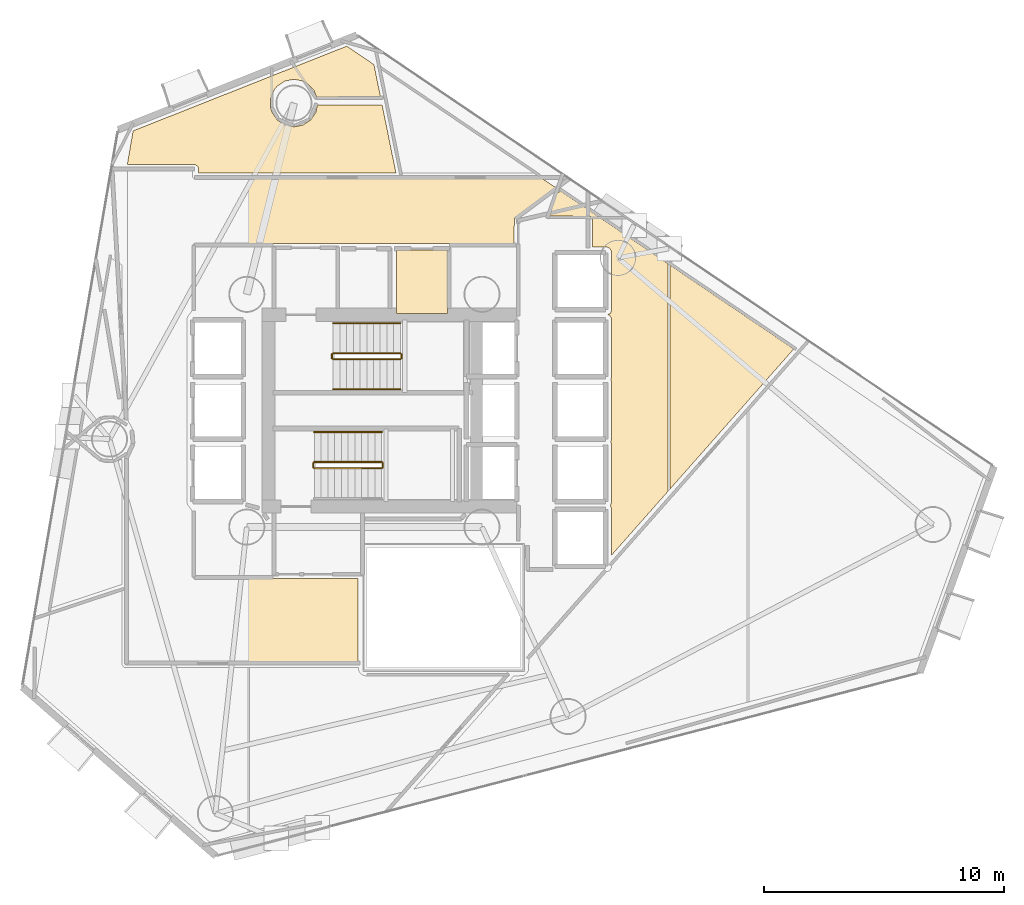
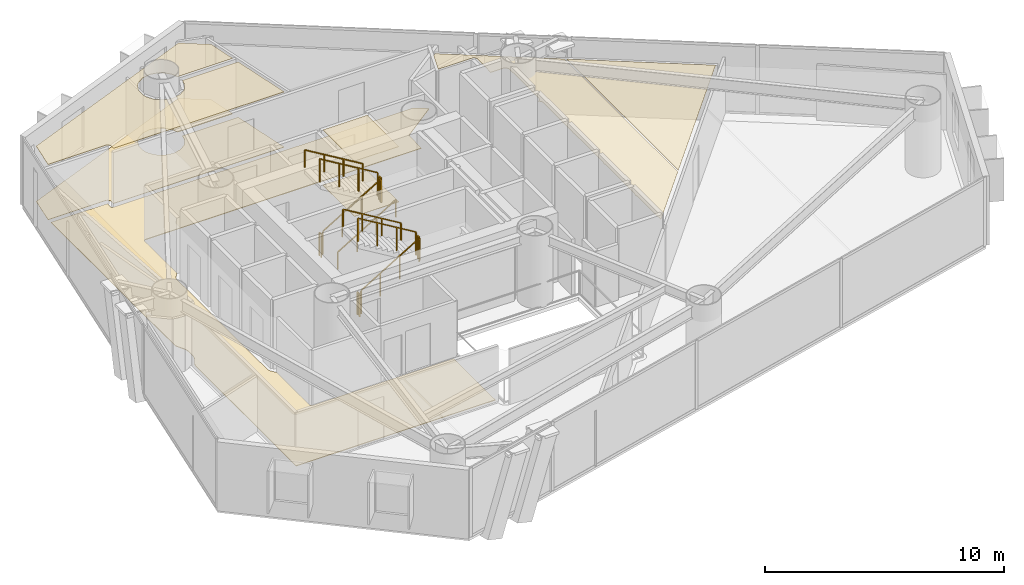
# One storey, part 20 of 21: 11 railings, 7 coverings.
"""IFC4 building model written with IfcOpenShell, lengths in metres."""

from ifc_helpers import new_model, si_unit, direction, frame, origin, origin_2d, place, context, subcontext, project, spatial, polyline, rectangle, outline, extrude, material, layer, layer_set, type_object, element, save


model = new_model("IFC4")

# Units and contexts
model_context = context("Model", 3, precision=1e-05, world=origin(), true_north=direction((0.0, 1.0)))
body_context = subcontext(model_context, "Body", "Model", "MODEL_VIEW")
ifc_project = project(units=[si_unit("LENGTHUNIT", "METRE"), si_unit("AREAUNIT", "SQUARE_METRE"), si_unit("VOLUMEUNIT", "CUBIC_METRE"), si_unit("PLANEANGLEUNIT", "RADIAN"), si_unit("MASSUNIT", "GRAM", prefix="KILO")], contexts=[model_context])

# Site, building, storey
site_placement = place(None, origin())
site = spatial("IfcSite", under=ifc_project, at=site_placement, CompositionType="ELEMENT")
building_placement = place(site_placement, origin())
building = spatial("IfcBuilding", under=site, at=building_placement, Name="Qianvela Tower", CompositionType="ELEMENT")
storey_placement = place(building_placement, frame((0.0, 0.0, 105.199951171875)))
storey = spatial("IfcBuildingStorey", under=building, at=storey_placement, Name="L26", CompositionType="ELEMENT", Elevation=105.199951171875)

# Coverings
ifc_material_1 = material(Name="Perforated Mineral Acoustic Ceiling Tile")
ifc_layer_1 = layer(ifc_material_1, 0.02490234375)
ifc_layer_set_1 = layer_set([ifc_layer_1], Name="Perforated Mineral Acoustic Ceiling Tile")
covering_type_1 = type_object("IfcCoveringType", Name="COV-CEIL-ACOUSTIC-25", PredefinedType="CEILING", material=ifc_layer_set_1)
covering_1_placement = place(storey_placement, frame((0.0, 0.0, 2.81494140625)))
element("IfcCovering", 1, at=covering_1_placement, inside=storey, type_object=covering_type_1, Name="L26 Acoustic Ceiling L26 Core Tea Pantry", PredefinedType="CEILING", context=body_context, shape_type="SweptSolid", body=[
    extrude(outline(polyline([(36.969970703125, 32.760009765625), (34.830078125, 32.760009765625), (34.830078125, 35.39990234375), (36.969970703125, 35.39990234375), (36.969970703125, 32.760009765625)])), origin(), (0.0, 0.0, 1.0), 0.025146484375),
])
covering_2_placement = place(storey_placement, frame((0.0, 0.0, 2.81494140625)))
element("IfcCovering", 2, at=covering_2_placement, inside=storey, type_object=covering_type_1, Name="L26 Acoustic Ceiling Bay 1 Academic Cellular Office L26-01C", PredefinedType="CEILING", context=body_context, shape_type="SweptSolid", body=[
    extrude(outline(polyline([(43.722412109375, 32.739013671875), (43.729248046875, 32.74267578125), (43.73583984375, 32.746826171875), (43.741943359375, 32.751953125), (43.74755859375, 32.757568359375), (43.75244140625, 32.763427734375), (43.7568359375, 32.77001953125), (43.760498046875, 32.777099609375), (43.763427734375, 32.7841796875), (43.79541015625, 32.873046875), (43.79736328125, 32.879638671875), (43.798828125, 32.886474609375), (43.7998046875, 32.893310546875), (43.800048828125, 32.900146484375), (43.79736328125, 35.327392578125), (43.796875, 35.3359375), (43.79541015625, 35.344482421875), (43.793212890625, 35.352783203125), (43.7900390625, 35.36083984375), (43.785888671875, 35.368408203125), (43.7373046875, 35.44921875), (43.732666015625, 35.456298828125), (43.727294921875, 35.462890625), (43.72119140625, 35.46875), (43.71435546875, 35.47412109375), (43.70703125, 35.478515625), (43.699462890625, 35.482177734375), (43.624267578125, 35.51318359375), (43.616943359375, 35.515869140625), (43.609375, 35.517822265625), (43.6015625, 35.518798828125), (43.59375, 35.519287109375), (43.0, 35.52001953125), (43.010009765625, 36.6494140625), (43.009765625, 36.656494140625), (43.0087890625, 36.663818359375), (43.007080078125, 36.6708984375), (43.0048828125, 36.677978515625), (43.002197265625, 36.684814453125), (42.99853515625, 36.691162109375), (42.956298828125, 36.76171875), (42.951904296875, 36.7685546875), (42.946533203125, 36.77490234375), (42.940673828125, 36.780517578125), (42.93408203125, 36.78564453125), (42.92724609375, 36.7900390625), (42.919921875, 36.793701171875), (42.912353515625, 36.796630859375), (42.904296875, 36.798828125), (42.896240234375, 36.800048828125), (42.88818359375, 36.800537109375), (41.205078125, 36.809326171875), (41.534912109375, 37.75537109375), (41.67041015625, 37.860107421875), (46.150634765625, 34.825439453125), (46.150634765625, 25.337646484375), (43.799560546875, 22.67724609375), (43.800048828125, 24.60009765625), (43.7998046875, 24.606689453125), (43.798828125, 24.61376953125), (43.79736328125, 24.620361328125), (43.79541015625, 24.626953125), (43.763427734375, 24.7158203125), (43.760498046875, 24.722900390625), (43.7568359375, 24.72998046875), (43.75244140625, 24.736572265625), (43.74755859375, 24.742431640625), (43.741943359375, 24.748046875), (43.73974609375, 24.75), (43.73974609375, 24.75), (43.74609375, 24.755859375), (43.75146484375, 24.76220703125), (43.75634765625, 24.76904296875), (43.76025390625, 24.776611328125), (43.763427734375, 24.7841796875), (43.79541015625, 24.873046875), (43.79736328125, 24.879638671875), (43.798828125, 24.88623046875), (43.7998046875, 24.89306640625), (43.800048828125, 24.89990234375), (43.800048828125, 27.300048828125), (43.799560546875, 27.30810546875), (43.79833984375, 27.31591796875), (43.79638671875, 27.323486328125), (43.793701171875, 27.3310546875), (43.7646484375, 27.39990234375), (43.793701171875, 27.468994140625), (43.79638671875, 27.476318359375), (43.79833984375, 27.484130859375), (43.799560546875, 27.491943359375), (43.800048828125, 27.5), (43.800048828125, 29.89990234375), (43.799560546875, 29.907958984375), (43.79833984375, 29.915771484375), (43.79638671875, 29.923583984375), (43.793701171875, 29.93115234375), (43.7646484375, 30.0), (43.793701171875, 30.06884765625), (43.79638671875, 30.076416015625), (43.79833984375, 30.084228515625), (43.799560546875, 30.09228515625), (43.800048828125, 30.10009765625), (43.7939453125, 32.540771484375), (43.793701171875, 32.548583984375), (43.79248046875, 32.556396484375), (43.79052734375, 32.56396484375), (43.787841796875, 32.5712890625), (43.784423828125, 32.578369140625), (43.780517578125, 32.585205078125), (43.7353515625, 32.652587890625), (43.73095703125, 32.658447265625), (43.726318359375, 32.6640625), (43.720947265625, 32.6689453125), (43.715087890625, 32.673583984375), (43.708984375, 32.677490234375), (43.702392578125, 32.680908203125), (43.69580078125, 32.68359375), (43.644287109375, 32.701904296875), (43.722412109375, 32.739013671875)])), origin(), (0.0, 0.0, 1.0), 0.025146484375),
])
covering_3_placement = place(storey_placement, frame((0.0, 0.0, 2.81494140625)))
element("IfcCovering", 3, at=covering_3_placement, inside=storey, type_object=covering_type_1, Name="L26 Acoustic Ceiling Bay 2 Academic Cellular Office L26-01C", PredefinedType="CEILING", context=body_context, shape_type="SweptSolid", body=[
    extrude(outline(polyline([(51.395751953125, 31.2724609375), (46.230712890625, 25.42822265625), (46.230712890625, 34.771240234375), (51.395751953125, 31.2724609375)])), origin(), (0.0, 0.0, 1.0), 0.025146484375),
])
covering_4_placement = place(storey_placement, frame((0.0, 0.0, 2.81494140625)))
element("IfcCovering", 4, at=covering_4_placement, inside=storey, type_object=covering_type_1, Name="L26 Acoustic Ceiling Academic Cellular Office L26-03", PredefinedType="CEILING", context=body_context, shape_type="SweptSolid", body=[
    extrude(outline(polyline([(26.57958984375, 38.610107421875), (26.57861328125, 38.81591796875), (26.577880859375, 38.82421875), (26.57666015625, 38.83251953125), (26.574462890625, 38.840576171875), (26.571533203125, 38.84814453125), (26.567626953125, 38.855712890625), (26.563232421875, 38.862548828125), (26.55810546875, 38.868896484375), (26.55224609375, 38.875), (26.481689453125, 38.93896484375), (26.475830078125, 38.943603515625), (26.4697265625, 38.94775390625), (26.46337890625, 38.951416015625), (26.45654296875, 38.954345703125), (26.44970703125, 38.95654296875), (26.4423828125, 38.958251953125), (26.43505859375, 38.959228515625), (26.427734375, 38.959716796875), (23.6201171875, 38.9560546875), (23.86181640625, 40.3623046875), (32.765625, 43.89208984375), (33.8984375, 43.124755859375), (34.169677734375, 41.788818359375), (31.5087890625, 41.781982421875), (31.39453125, 42.057373046875), (31.39111328125, 42.064208984375), (31.38720703125, 42.071044921875), (31.382568359375, 42.077392578125), (31.377197265625, 42.0830078125), (31.126220703125, 42.334228515625), (31.120361328125, 42.339599609375), (31.114013671875, 42.34423828125), (31.107421875, 42.34814453125), (30.949951171875, 42.432373046875), (30.94287109375, 42.435546875), (30.935546875, 42.438232421875), (30.927734375, 42.440185546875), (30.57958984375, 42.509521484375), (30.57177734375, 42.510498046875), (30.56396484375, 42.510986328125), (30.55615234375, 42.510498046875), (30.54833984375, 42.509521484375), (30.2001953125, 42.440185546875), (30.1923828125, 42.438232421875), (30.18505859375, 42.435546875), (30.177978515625, 42.432373046875), (30.17138671875, 42.42822265625), (29.876220703125, 42.23095703125), (29.869873046875, 42.226318359375), (29.864013671875, 42.220947265625), (29.858642578125, 42.215087890625), (29.74560546875, 42.077392578125), (29.74072265625, 42.071044921875), (29.73681640625, 42.064208984375), (29.7333984375, 42.05712890625), (29.59765625, 41.72900390625), (29.594970703125, 41.7216796875), (29.593017578125, 41.714111328125), (29.591796875, 41.706298828125), (29.591552734375, 41.698486328125), (29.591552734375, 41.343505859375), (29.591796875, 41.335693359375), (29.593017578125, 41.327880859375), (29.594970703125, 41.3203125), (29.646728515625, 41.1494140625), (29.6494140625, 41.14208984375), (29.652587890625, 41.135009765625), (29.65673828125, 41.12841796875), (29.85400390625, 40.8330078125), (29.858642578125, 40.826904296875), (29.864013671875, 40.821044921875), (29.869873046875, 40.815673828125), (29.876220703125, 40.81103515625), (30.17138671875, 40.61376953125), (30.177978515625, 40.609619140625), (30.18505859375, 40.6064453125), (30.1923828125, 40.603759765625), (30.2001953125, 40.601806640625), (30.54833984375, 40.532470703125), (30.55615234375, 40.531494140625), (30.56396484375, 40.531005859375), (30.57177734375, 40.531494140625), (30.57958984375, 40.532470703125), (30.927734375, 40.601806640625), (30.935546875, 40.603759765625), (30.94287109375, 40.6064453125), (30.949951171875, 40.609619140625), (30.956787109375, 40.61376953125), (31.251953125, 40.81103515625), (31.25830078125, 40.815673828125), (31.263916015625, 40.821044921875), (31.269287109375, 40.826904296875), (31.27392578125, 40.8330078125), (31.47119140625, 41.12841796875), (31.475341796875, 41.135009765625), (31.478759765625, 41.14208984375), (31.481201171875, 41.149658203125), (31.483154296875, 41.1572265625), (31.53955078125, 41.442138671875), (34.23876953125, 41.448974609375), (34.815185546875, 38.610107421875), (26.57958984375, 38.610107421875)])), origin(), (0.0, 0.0, 1.0), 0.025146484375),
])
ifc_material_2 = material(Name="Engineered Acoustic Oak Timber Flooring", Category="wood")
ifc_layer_2 = layer(ifc_material_2, 0.02001953125)
ifc_layer_set_2 = layer_set([ifc_layer_2], Name="Engineered Acoustic Oak Timber Flooring")
covering_type_2 = type_object("IfcCoveringType", Name="COV-FLOOR-OAK-20", PredefinedType="FLOORING", material=ifc_layer_set_2)
covering_5_placement = place(storey_placement, origin())
element("IfcCovering", 5, at=covering_5_placement, inside=storey, type_object=covering_type_2, Name="L26 Finish Flooring L26 Core Tea Pantry", PredefinedType="FLOORING", context=body_context, shape_type="SweptSolid", body=[
    extrude(outline(polyline([(36.969970703125, 32.760009765625), (34.830078125, 32.760009765625), (34.830078125, 35.39990234375), (36.969970703125, 35.39990234375), (36.969970703125, 32.760009765625)])), origin(), (0.0, 0.0, 1.0), 0.02001953125),
])
covering_6_placement = place(storey_placement, origin())
element("IfcCovering", 6, at=covering_6_placement, inside=storey, type_object=covering_type_2, Name="L26 Finish Flooring Academic Cellular Office L26-03", PredefinedType="FLOORING", context=body_context, shape_type="SweptSolid", body=[
    extrude(outline(polyline([(26.57958984375, 38.610107421875), (26.57861328125, 38.81591796875), (26.577880859375, 38.82421875), (26.57666015625, 38.83251953125), (26.574462890625, 38.840576171875), (26.571533203125, 38.84814453125), (26.567626953125, 38.855712890625), (26.563232421875, 38.862548828125), (26.55810546875, 38.868896484375), (26.55224609375, 38.875), (26.481689453125, 38.93896484375), (26.475830078125, 38.943603515625), (26.4697265625, 38.94775390625), (26.46337890625, 38.951416015625), (26.45654296875, 38.954345703125), (26.44970703125, 38.95654296875), (26.4423828125, 38.958251953125), (26.43505859375, 38.959228515625), (26.427734375, 38.959716796875), (23.6201171875, 38.9560546875), (23.86181640625, 40.3623046875), (32.765625, 43.89208984375), (33.8984375, 43.124755859375), (34.169677734375, 41.788818359375), (31.5087890625, 41.781982421875), (31.39453125, 42.057373046875), (31.39111328125, 42.064208984375), (31.38720703125, 42.071044921875), (31.382568359375, 42.077392578125), (31.377197265625, 42.0830078125), (31.126220703125, 42.334228515625), (31.120361328125, 42.339599609375), (31.114013671875, 42.34423828125), (31.107421875, 42.34814453125), (30.949951171875, 42.432373046875), (30.94287109375, 42.435546875), (30.935546875, 42.438232421875), (30.927734375, 42.440185546875), (30.57958984375, 42.509521484375), (30.57177734375, 42.510498046875), (30.56396484375, 42.510986328125), (30.55615234375, 42.510498046875), (30.54833984375, 42.509521484375), (30.2001953125, 42.440185546875), (30.1923828125, 42.438232421875), (30.18505859375, 42.435546875), (30.177978515625, 42.432373046875), (30.17138671875, 42.42822265625), (29.876220703125, 42.23095703125), (29.869873046875, 42.226318359375), (29.864013671875, 42.220947265625), (29.858642578125, 42.215087890625), (29.74560546875, 42.077392578125), (29.74072265625, 42.071044921875), (29.73681640625, 42.064208984375), (29.7333984375, 42.05712890625), (29.59765625, 41.72900390625), (29.594970703125, 41.7216796875), (29.593017578125, 41.714111328125), (29.591796875, 41.706298828125), (29.591552734375, 41.698486328125), (29.591552734375, 41.343505859375), (29.591796875, 41.335693359375), (29.593017578125, 41.327880859375), (29.594970703125, 41.3203125), (29.646728515625, 41.1494140625), (29.6494140625, 41.14208984375), (29.652587890625, 41.135009765625), (29.65673828125, 41.12841796875), (29.85400390625, 40.8330078125), (29.858642578125, 40.826904296875), (29.864013671875, 40.821044921875), (29.869873046875, 40.815673828125), (29.876220703125, 40.81103515625), (30.17138671875, 40.61376953125), (30.177978515625, 40.609619140625), (30.18505859375, 40.6064453125), (30.1923828125, 40.603759765625), (30.2001953125, 40.601806640625), (30.54833984375, 40.532470703125), (30.55615234375, 40.531494140625), (30.56396484375, 40.531005859375), (30.57177734375, 40.531494140625), (30.57958984375, 40.532470703125), (30.927734375, 40.601806640625), (30.935546875, 40.603759765625), (30.94287109375, 40.6064453125), (30.949951171875, 40.609619140625), (30.956787109375, 40.61376953125), (31.251953125, 40.81103515625), (31.25830078125, 40.815673828125), (31.263916015625, 40.821044921875), (31.269287109375, 40.826904296875), (31.27392578125, 40.8330078125), (31.47119140625, 41.12841796875), (31.475341796875, 41.135009765625), (31.478759765625, 41.14208984375), (31.481201171875, 41.149658203125), (31.483154296875, 41.1572265625), (31.53955078125, 41.442138671875), (34.23876953125, 41.448974609375), (34.815185546875, 38.610107421875), (26.57958984375, 38.610107421875)])), origin(), (0.0, 0.0, 1.0), 0.02001953125),
])
ifc_material_3 = material(Name="Honed Stone Terrazzo Flooring", Category="masonry")
ifc_layer_3 = layer(ifc_material_3, 0.030029296875)
ifc_layer_set_3 = layer_set([ifc_layer_3], Name="Honed Stone Terrazzo Flooring")
covering_type_3 = type_object("IfcCoveringType", Name="COV-FLOOR-TERRAZZO-30", PredefinedType="FLOORING", material=ifc_layer_set_3)
covering_7_placement = place(storey_placement, origin())
element("IfcCovering", 7, at=covering_7_placement, inside=storey, type_object=covering_type_3, Name="L26 Finish Flooring L26 Floor Corridor", PredefinedType="FLOORING", context=body_context, shape_type="SweptSolid", body=[
    extrude(outline(polyline([(23.8505859375, 27.910400390625), (23.84814453125, 27.917724609375), (23.8447265625, 27.9248046875), (23.6298828125, 28.32666015625), (23.6298828125, 38.719970703125), (26.340087890625, 38.719970703125), (26.340087890625, 38.449951171875), (26.34033203125, 38.442138671875), (26.341552734375, 38.434326171875), (26.343505859375, 38.4267578125), (26.34619140625, 38.41943359375), (26.349365234375, 38.412353515625), (26.353515625, 38.405517578125), (26.358154296875, 38.399169921875), (26.36328125, 38.393310546875), (26.369140625, 38.38818359375), (26.37548828125, 38.383544921875), (26.38232421875, 38.37939453125), (26.389404296875, 38.376220703125), (26.396728515625, 38.373291015625), (26.404296875, 38.37158203125), (26.412109375, 38.370361328125), (26.419921875, 38.3701171875), (40.91796875, 38.3701171875), (41.463134765625, 38.00048828125), (39.78076171875, 36.74853515625), (39.7744140625, 36.743408203125), (39.7685546875, 36.737548828125), (39.763427734375, 36.731201171875), (39.759033203125, 36.724365234375), (39.75537109375, 36.717041015625), (39.75244140625, 36.70947265625), (39.750244140625, 36.701416015625), (39.748779296875, 36.693359375), (39.74853515625, 36.685302734375), (39.73876953125, 35.659912109375), (26.419921875, 35.659912109375), (26.412109375, 35.65966796875), (26.404296875, 35.658447265625), (26.396728515625, 35.656494140625), (26.389404296875, 35.65380859375), (26.38232421875, 35.650634765625), (26.37548828125, 35.646484375), (26.369140625, 35.641845703125), (26.36328125, 35.63671875), (26.358154296875, 35.630859375), (26.353515625, 35.62451171875), (26.349365234375, 35.61767578125), (26.34619140625, 35.610595703125), (26.343505859375, 35.603271484375), (26.341552734375, 35.595703125), (26.34033203125, 35.587890625), (26.340087890625, 35.580078125), (26.340087890625, 32.89599609375), (26.139404296875, 32.62548828125), (26.135498046875, 32.61962890625), (26.132080078125, 32.61376953125), (26.12939453125, 32.607421875), (26.126953125, 32.60107421875), (26.103515625, 32.523193359375), (26.1015625, 32.515625), (26.100341796875, 32.5078125), (26.10009765625, 32.5), (26.10009765625, 24.89990234375), (26.100341796875, 24.89208984375), (26.1015625, 24.884521484375), (26.103515625, 24.876708984375), (26.126953125, 24.799072265625), (26.12939453125, 24.79248046875), (26.132080078125, 24.786376953125), (26.135498046875, 24.7802734375), (26.139404296875, 24.774658203125), (26.340087890625, 24.50390625), (26.340087890625, 21.780029296875), (26.34033203125, 21.772216796875), (26.341552734375, 21.764404296875), (26.343505859375, 21.7568359375), (26.34619140625, 21.74951171875), (26.349365234375, 21.7421875), (26.353515625, 21.735595703125), (26.358154296875, 21.729248046875), (26.36328125, 21.723388671875), (26.369140625, 21.71826171875), (26.37548828125, 21.71337890625), (26.38232421875, 21.70947265625), (26.389404296875, 21.7060546875), (26.396728515625, 21.703369140625), (26.404296875, 21.701416015625), (26.412109375, 21.700439453125), (26.419921875, 21.699951171875), (33.239990234375, 21.699951171875), (33.239990234375, 18.22998046875), (23.6298828125, 18.22998046875), (23.6298828125, 26.705322265625), (23.8447265625, 27.107177734375), (23.84814453125, 27.1142578125), (23.8505859375, 27.12158203125), (23.906005859375, 27.303466796875), (23.90771484375, 27.311279296875), (23.908935546875, 27.31884765625), (23.909423828125, 27.326904296875), (23.909423828125, 27.705078125), (23.908935546875, 27.713134765625), (23.90771484375, 27.720703125), (23.906005859375, 27.728515625), (23.8505859375, 27.910400390625)])), origin(), (0.0, 0.0, 1.0), 0.030029296875),
])

# Railings
ifc_material_4 = material(Name="Painted Tubular Steel Q355B", Category="steel")
railing_type_1 = type_object("IfcRailingType", Name="RL-STAIR-GUARD-1200", PredefinedType="GUARDRAIL", material=ifc_material_4)
railing_1_placement = place(storey_placement, frame((32.199951171875, 30.840087890625, 0.168212890625)))
element("IfcRailing", 8, at=railing_1_placement, inside=storey, type_object=railing_type_1, Name="L26 ST-1 stair guard 1", PredefinedType="GUARDRAIL", context=body_context, shape_type="SweptSolid", body=[
    extrude(rectangle(XDim=0.050048828125, YDim=0.0400390625, at=origin_2d()), frame((0.0, 0.0, 1.179931640625), z_axis=(0.857242210791, 0.0, 0.514913383045), x_axis=(0.0, 1.0, 0.0)), (0.0, 0.0, 1.0), 3.266357421875),
    extrude(rectangle(XDim=0.050048828125, YDim=0.050048828125, at=origin_2d()), origin(), (0.0, 0.0, 1.0), 1.159912109375),
    extrude(rectangle(XDim=0.050048828125, YDim=0.050048828125, at=origin_2d()), frame((0.933349609375, 0.0, 0.560546875)), (0.0, 0.0, 1.0), 1.159912109375),
    extrude(rectangle(XDim=0.050048828125, YDim=0.050048828125, at=origin_2d()), frame((1.86669921875, 0.0, 1.121337890625)), (0.0, 0.0, 1.0), 1.159912109375),
    extrude(rectangle(XDim=0.050048828125, YDim=0.050048828125, at=origin_2d()), frame((2.800048828125, 0.0, 1.681884765625)), (0.0, 0.0, 1.0), 1.159912109375),
])
railing_2_placement = place(storey_placement, frame((35.050048828125, 30.889892578125, 1.85009765625)))
element("IfcRailing", 9, at=railing_2_placement, inside=storey, type_object=railing_type_1, Name="L26 ST-1 stair guard 2", PredefinedType="GUARDRAIL", context=body_context, shape_type="SweptSolid", body=[
    extrude(rectangle(XDim=0.050048828125, YDim=0.0400390625, at=origin_2d()), frame((0.0, 0.0, 1.179931640625), z_axis=(0.0, 1.0, 0.0), x_axis=(-1.0, 0.0, 0.0)), (0.0, 0.0, 1.0), 0.16015625),
    extrude(rectangle(XDim=0.050048828125, YDim=0.050048828125, at=origin_2d()), origin(), (0.0, 0.0, 1.0), 1.159912109375),
    extrude(rectangle(XDim=0.050048828125, YDim=0.050048828125, at=origin_2d()), frame((0.0, 0.16015625, 0.0)), (0.0, 0.0, 1.0), 1.159912109375),
])
railing_3_placement = place(storey_placement, frame((35.0, 31.10009765625, 2.018310546875)))
element("IfcRailing", 10, at=railing_3_placement, inside=storey, type_object=railing_type_1, Name="L26 ST-1 stair guard 3", PredefinedType="GUARDRAIL", context=body_context, shape_type="SweptSolid", body=[
    extrude(rectangle(XDim=0.050048828125, YDim=0.0400390625, at=origin_2d()), frame((0.0, 0.0, 1.179931640625), z_axis=(-0.857275202839, 0.0, 0.514858452973), x_axis=(0.0, -1.0, 0.0)), (0.0, 0.0, 1.0), 3.26611328125),
    extrude(rectangle(XDim=0.050048828125, YDim=0.050048828125, at=origin_2d()), origin(), (0.0, 0.0, 1.0), 1.159912109375),
    extrude(rectangle(XDim=0.050048828125, YDim=0.050048828125, at=origin_2d()), frame((-0.933349609375, 0.0, 0.560546875)), (0.0, 0.0, 1.0), 1.159912109375),
    extrude(rectangle(XDim=0.050048828125, YDim=0.050048828125, at=origin_2d()), frame((-1.86669921875, 0.0, 1.12109375)), (0.0, 0.0, 1.0), 1.159912109375),
    extrude(rectangle(XDim=0.050048828125, YDim=0.050048828125, at=origin_2d()), frame((-2.800048828125, 0.0, 1.681640625)), (0.0, 0.0, 1.0), 1.159912109375),
])
railing_4_placement = place(storey_placement, frame((32.14990234375, 30.889892578125, 0.0)))
element("IfcRailing", 11, at=railing_4_placement, inside=storey, type_object=railing_type_1, Name="L26 ST-1 stair guard 4", PredefinedType="GUARDRAIL", context=body_context, shape_type="SweptSolid", body=[
    extrude(rectangle(XDim=0.050048828125, YDim=0.0400390625, at=origin_2d()), frame((0.0, 0.0, 1.179931640625), z_axis=(0.0, 1.0, 0.0), x_axis=(-1.0, 0.0, 0.0)), (0.0, 0.0, 1.0), 0.16015625),
    extrude(rectangle(XDim=0.050048828125, YDim=0.050048828125, at=origin_2d()), origin(), (0.0, 0.0, 1.0), 1.159912109375),
    extrude(rectangle(XDim=0.050048828125, YDim=0.050048828125, at=origin_2d()), frame((0.0, 0.16015625, 0.0)), (0.0, 0.0, 1.0), 1.159912109375),
])
railing_5_placement = place(storey_placement, frame((31.419921875, 26.300048828125, 0.168212890625)))
element("IfcRailing", 12, at=railing_5_placement, inside=storey, type_object=railing_type_1, Name="L26 ST-2 stair guard 1", PredefinedType="GUARDRAIL", context=body_context, shape_type="SweptSolid", body=[
    extrude(rectangle(XDim=0.050048828125, YDim=0.0400390625, at=origin_2d()), frame((0.0, 0.0, 1.179931640625), z_axis=(0.857242210791, 0.0, 0.514913383045), x_axis=(0.0, 1.0, 0.0)), (0.0, 0.0, 1.0), 3.266357421875),
    extrude(rectangle(XDim=0.050048828125, YDim=0.050048828125, at=origin_2d()), origin(), (0.0, 0.0, 1.0), 1.159912109375),
    extrude(rectangle(XDim=0.050048828125, YDim=0.050048828125, at=origin_2d()), frame((0.933349609375, 0.0, 0.560546875)), (0.0, 0.0, 1.0), 1.159912109375),
    extrude(rectangle(XDim=0.050048828125, YDim=0.050048828125, at=origin_2d()), frame((1.86669921875, 0.0, 1.121337890625)), (0.0, 0.0, 1.0), 1.159912109375),
    extrude(rectangle(XDim=0.050048828125, YDim=0.050048828125, at=origin_2d()), frame((2.800048828125, 0.0, 1.681884765625)), (0.0, 0.0, 1.0), 1.159912109375),
])
railing_6_placement = place(storey_placement, frame((34.27001953125, 26.35009765625, 1.85009765625)))
element("IfcRailing", 13, at=railing_6_placement, inside=storey, type_object=railing_type_1, Name="L26 ST-2 stair guard 2", PredefinedType="GUARDRAIL", context=body_context, shape_type="SweptSolid", body=[
    extrude(rectangle(XDim=0.050048828125, YDim=0.0400390625, at=origin_2d()), frame((0.0, 0.0, 1.179931640625), z_axis=(0.0, 1.0, 0.0), x_axis=(-1.0, 0.0, 0.0)), (0.0, 0.0, 1.0), 0.159912109375),
    extrude(rectangle(XDim=0.050048828125, YDim=0.050048828125, at=origin_2d()), origin(), (0.0, 0.0, 1.0), 1.159912109375),
    extrude(rectangle(XDim=0.050048828125, YDim=0.050048828125, at=origin_2d()), frame((0.0, 0.159912109375, 0.0)), (0.0, 0.0, 1.0), 1.159912109375),
])
railing_7_placement = place(storey_placement, frame((34.219970703125, 26.56005859375, 2.018310546875)))
element("IfcRailing", 14, at=railing_7_placement, inside=storey, type_object=railing_type_1, Name="L26 ST-2 stair guard 3", PredefinedType="GUARDRAIL", context=body_context, shape_type="SweptSolid", body=[
    extrude(rectangle(XDim=0.050048828125, YDim=0.0400390625, at=origin_2d()), frame((0.0, 0.0, 1.179931640625), z_axis=(-0.857275202839, 0.0, 0.514858452973), x_axis=(0.0, -1.0, 0.0)), (0.0, 0.0, 1.0), 3.26611328125),
    extrude(rectangle(XDim=0.050048828125, YDim=0.050048828125, at=origin_2d()), origin(), (0.0, 0.0, 1.0), 1.159912109375),
    extrude(rectangle(XDim=0.050048828125, YDim=0.050048828125, at=origin_2d()), frame((-0.933349609375, 0.0, 0.560546875)), (0.0, 0.0, 1.0), 1.159912109375),
    extrude(rectangle(XDim=0.050048828125, YDim=0.050048828125, at=origin_2d()), frame((-1.86669921875, 0.0, 1.12109375)), (0.0, 0.0, 1.0), 1.159912109375),
    extrude(rectangle(XDim=0.050048828125, YDim=0.050048828125, at=origin_2d()), frame((-2.800048828125, 0.0, 1.681640625)), (0.0, 0.0, 1.0), 1.159912109375),
])
railing_8_placement = place(storey_placement, frame((31.3701171875, 26.35009765625, 0.0)))
element("IfcRailing", 15, at=railing_8_placement, inside=storey, type_object=railing_type_1, Name="L26 ST-2 stair guard 4", PredefinedType="GUARDRAIL", context=body_context, shape_type="SweptSolid", body=[
    extrude(rectangle(XDim=0.050048828125, YDim=0.0400390625, at=origin_2d()), frame((0.0, 0.0, 1.179931640625), z_axis=(0.0, 1.0, 0.0), x_axis=(-1.0, 0.0, 0.0)), (0.0, 0.0, 1.0), 0.159912109375),
    extrude(rectangle(XDim=0.050048828125, YDim=0.050048828125, at=origin_2d()), origin(), (0.0, 0.0, 1.0), 1.159912109375),
    extrude(rectangle(XDim=0.050048828125, YDim=0.050048828125, at=origin_2d()), frame((0.0, 0.159912109375, 0.0)), (0.0, 0.0, 1.0), 1.159912109375),
])
ifc_material_5 = material(Name="Brushed Stainless Steel 304", Category="steel")
railing_type_2 = type_object("IfcRailingType", Name="RL-STAIR-HANDRAIL-900", PredefinedType="HANDRAIL", material=ifc_material_5)
railing_9_placement = place(storey_placement, frame((32.199951171875, 29.590087890625, 0.168212890625)))
element("IfcRailing", 16, at=railing_9_placement, inside=storey, type_object=railing_type_2, Name="L26 ST-1 stair handrail 1", PredefinedType="HANDRAIL", context=body_context, shape_type="SweptSolid", body=[
    extrude(rectangle(XDim=0.050048828125, YDim=0.0400390625, at=origin_2d()), frame((0.0, 0.0, 0.8798828125), z_axis=(0.857242210791, 0.0, 0.514913383045), x_axis=(0.0, 1.0, 0.0)), (0.0, 0.0, 1.0), 3.266357421875),
    extrude(rectangle(XDim=0.050048828125, YDim=0.050048828125, at=origin_2d()), origin(), (0.0, 0.0, 1.0), 0.85986328125),
    extrude(rectangle(XDim=0.050048828125, YDim=0.050048828125, at=origin_2d()), frame((0.933349609375, 0.0, 0.560546875)), (0.0, 0.0, 1.0), 0.85986328125),
    extrude(rectangle(XDim=0.050048828125, YDim=0.050048828125, at=origin_2d()), frame((1.86669921875, 0.0, 1.121337890625)), (0.0, 0.0, 1.0), 0.85986328125),
    extrude(rectangle(XDim=0.050048828125, YDim=0.050048828125, at=origin_2d()), frame((2.800048828125, 0.0, 1.681884765625)), (0.0, 0.0, 1.0), 0.85986328125),
])
for number, where, name in (
    (17, (35.0, 32.35009765625, 2.018310546875), "L26 ST-1 stair handrail 2"),
    (18, (34.219970703125, 27.81005859375, 2.018310546875), "L26 ST-2 stair handrail 2"),
):
    element("IfcRailing", number, at=place(storey_placement, frame(where)), inside=storey, type_object=railing_type_2, Name=name, PredefinedType="HANDRAIL", context=body_context, shape_type="SweptSolid", body=[
        extrude(rectangle(XDim=0.050048828125, YDim=0.0400390625, at=origin_2d()), frame((0.0, 0.0, 0.8798828125), z_axis=(-0.857275202839, 0.0, 0.514858452973), x_axis=(0.0, -1.0, 0.0)), (0.0, 0.0, 1.0), 3.26611328125),
        extrude(rectangle(XDim=0.050048828125, YDim=0.050048828125, at=origin_2d()), origin(), (0.0, 0.0, 1.0), 0.85986328125),
        extrude(rectangle(XDim=0.050048828125, YDim=0.050048828125, at=origin_2d()), frame((-0.933349609375, 0.0, 0.560546875)), (0.0, 0.0, 1.0), 0.85986328125),
        extrude(rectangle(XDim=0.050048828125, YDim=0.050048828125, at=origin_2d()), frame((-1.86669921875, 0.0, 1.12109375)), (0.0, 0.0, 1.0), 0.85986328125),
        extrude(rectangle(XDim=0.050048828125, YDim=0.050048828125, at=origin_2d()), frame((-2.800048828125, 0.0, 1.681640625)), (0.0, 0.0, 1.0), 0.85986328125),
    ])

save(model, "model.ifc")
